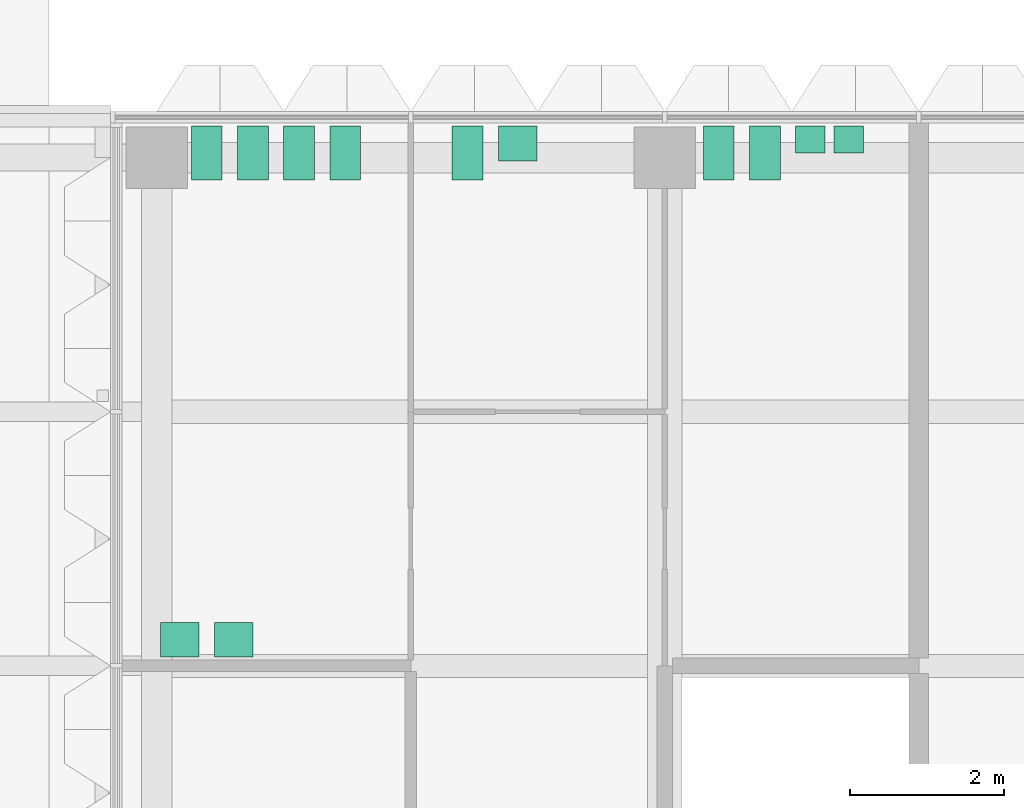
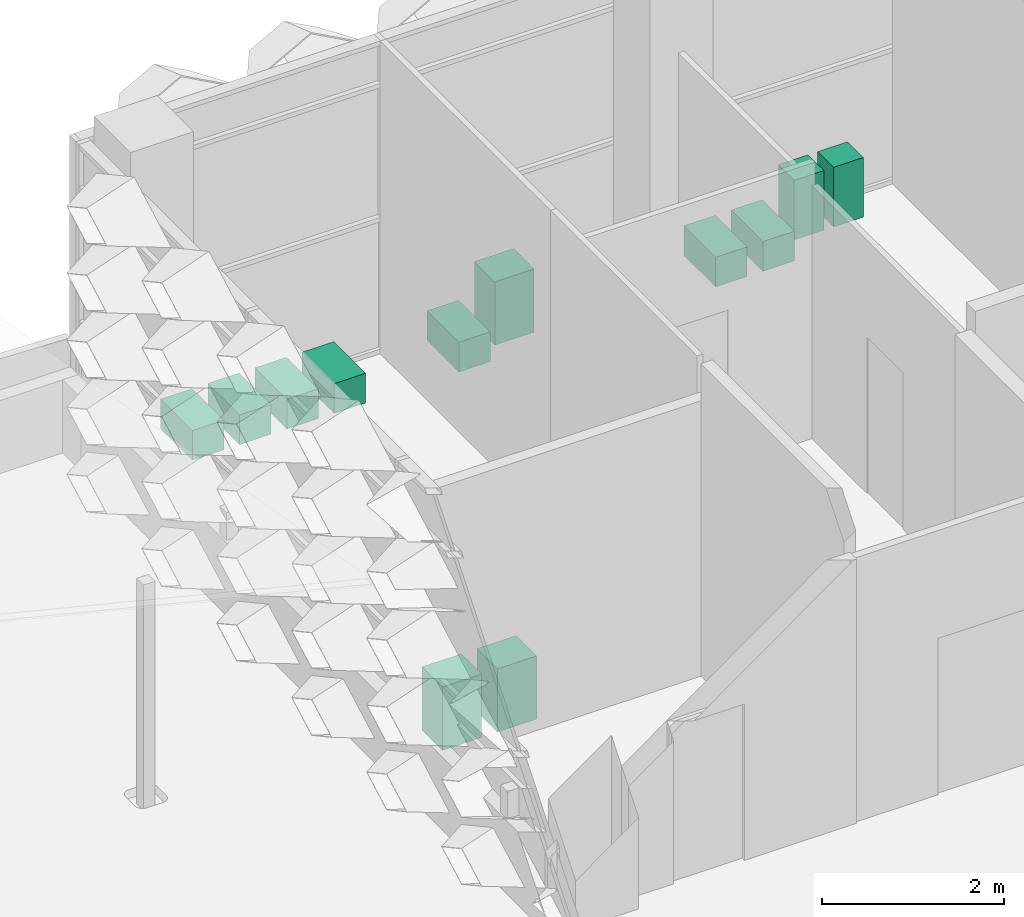
# One storey, part 39 of 39: 12 sanitary terminals.
"""IFC4 building model written with IfcOpenShell, lengths in metres."""

from ifc_helpers import new_model, si_unit, direction, frame, origin, origin_2d, place, context, subcontext, project, spatial, rectangle, extrude, element, save


model = new_model("IFC4")

# Units and contexts
model_context = context("Model", 3, precision=1e-05, world=origin(), true_north=direction((0.0, 1.0)))
body_context = subcontext(model_context, "Body", "Model", "MODEL_VIEW")
ifc_project = project(units=[si_unit("LENGTHUNIT", "METRE"), si_unit("AREAUNIT", "SQUARE_METRE"), si_unit("VOLUMEUNIT", "CUBIC_METRE"), si_unit("PLANEANGLEUNIT", "RADIAN"), si_unit("MASSUNIT", "GRAM", prefix="KILO")], contexts=[model_context])

# Site, building, storey
site_placement = place(None, origin())
site = spatial("IfcSite", under=ifc_project, at=site_placement, CompositionType="ELEMENT")
building_placement = place(site_placement, origin())
building = spatial("IfcBuilding", under=site, at=building_placement, Name="Lantern Court Research Institute", CompositionType="ELEMENT")
storey_placement = place(building_placement, frame((0.0, 0.0, 27.89990234375)))
storey = spatial("IfcBuildingStorey", under=building, at=storey_placement, Name="L06", CompositionType="ELEMENT", Elevation=27.89990234375)

# Sanitary terminals
for number, where, z_axis, x_axis, name in (
    (1, (53.449951171875, 23.159912109375, 0.000244140625), (0.0, 0.0, 1.0), (1.0, 0.0, 0.0), "WC pan T6.03"),
    (2, (54.050048828125, 23.159912109375, 0.000244140625), (0.0, 0.0, 1.0), (1.0, 0.0, 0.0), "WC pan T6.03"),
    (3, (54.64990234375, 23.159912109375, 0.000244140625), (0.0, 0.0, 1.0), (1.0, 0.0, 0.0), "WC pan T6.03"),
    (4, (55.25, 23.159912109375, 0.000244140625), (0.0, 0.0, 1.0), (1.0, 0.0, 0.0), "WC pan T6.03"),
):
    element("IfcSanitaryTerminal", number, at=place(storey_placement, frame(where, z_axis=z_axis, x_axis=x_axis)), inside=storey, Name=name, PredefinedType="TOILETPAN", context=body_context, shape_type="SweptSolid", body=[
        extrude(rectangle(XDim=0.39990234375, YDim=0.699951171875, at=origin_2d()), origin(), (0.0, 0.0, 1.0), 0.39990234375),
    ])
for number, where, z_axis, x_axis, name in (
    (5, (53.10009765625, 16.840087890625, 0.0), (0.0, 0.0, 1.0), (1.0, 0.0, 0.0), "Wash basin T6.03"),
    (6, (53.800048828125, 16.840087890625, 0.0), (0.0, 0.0, 1.0), (1.0, 0.0, 0.0), "Wash basin T6.03"),
):
    element("IfcSanitaryTerminal", number, at=place(storey_placement, frame(where, z_axis=z_axis, x_axis=x_axis)), inside=storey, Name=name, PredefinedType="WASHHANDBASIN", context=body_context, shape_type="SweptSolid", body=[
        extrude(rectangle(XDim=0.5, YDim=0.449951171875, at=origin_2d()), origin(), (0.0, 0.0, 1.0), 0.85009765625),
    ])
sanitary_terminal_1_placement = place(storey_placement, frame((56.83740234375, 23.159912109375, 0.000244140625), z_axis=(0.0, 0.0, 1.0), x_axis=(1.0, 0.0, 0.0)))
element("IfcSanitaryTerminal", 7, at=sanitary_terminal_1_placement, inside=storey, Name="WC pan T6.05", PredefinedType="TOILETPAN", context=body_context, shape_type="SweptSolid", body=[
    extrude(rectangle(XDim=0.39990234375, YDim=0.699951171875, at=origin_2d()), origin(), (0.0, 0.0, 1.0), 0.39990234375),
])
sanitary_terminal_2_placement = place(storey_placement, frame((57.487548828125, 23.284912109375, 0.0), z_axis=(0.0, 0.0, 1.0), x_axis=(1.0, 0.0, 0.0)))
element("IfcSanitaryTerminal", 8, at=sanitary_terminal_2_placement, inside=storey, Name="Wash basin T6.05", PredefinedType="WASHHANDBASIN", context=body_context, shape_type="SweptSolid", body=[
    extrude(rectangle(XDim=0.5, YDim=0.449951171875, at=origin_2d()), origin(), (0.0, 0.0, 1.0), 0.85009765625),
])
for number, where, z_axis, x_axis, name in (
    (9, (60.10009765625, 23.159912109375, 0.000244140625), (0.0, 0.0, 1.0), (1.0, 0.0, 0.0), "WC pan T6.07"),
    (10, (60.699951171875, 23.159912109375, 0.000244140625), (0.0, 0.0, 1.0), (1.0, 0.0, 0.0), "WC pan T6.07"),
):
    element("IfcSanitaryTerminal", number, at=place(storey_placement, frame(where, z_axis=z_axis, x_axis=x_axis)), inside=storey, Name=name, PredefinedType="TOILETPAN", context=body_context, shape_type="SweptSolid", body=[
        extrude(rectangle(XDim=0.39990234375, YDim=0.699951171875, at=origin_2d()), origin(), (0.0, 0.0, 1.0), 0.39990234375),
    ])
for number, where, z_axis, x_axis, name in (
    (11, (61.2900390625, 23.3349609375, 0.0), (0.0, 0.0, 1.0), (1.0, 0.0, 0.0), "Urinal T6.07"),
    (12, (61.7900390625, 23.3349609375, 0.0), (0.0, 0.0, 1.0), (1.0, 0.0, 0.0), "Urinal T6.07"),
):
    element("IfcSanitaryTerminal", number, at=place(storey_placement, frame(where, z_axis=z_axis, x_axis=x_axis)), inside=storey, Name=name, PredefinedType="URINAL", context=body_context, shape_type="SweptSolid", body=[
        extrude(rectangle(XDim=0.3798828125, YDim=0.35009765625, at=origin_2d()), origin(), (0.0, 0.0, 1.0), 0.800048828125),
    ])

save(model, "model.ifc")
